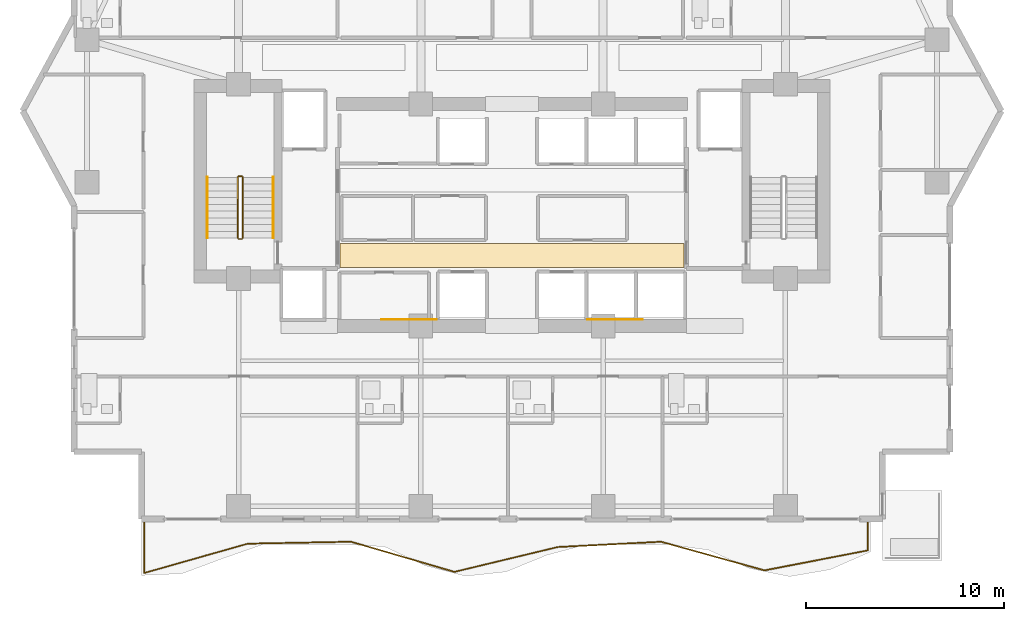
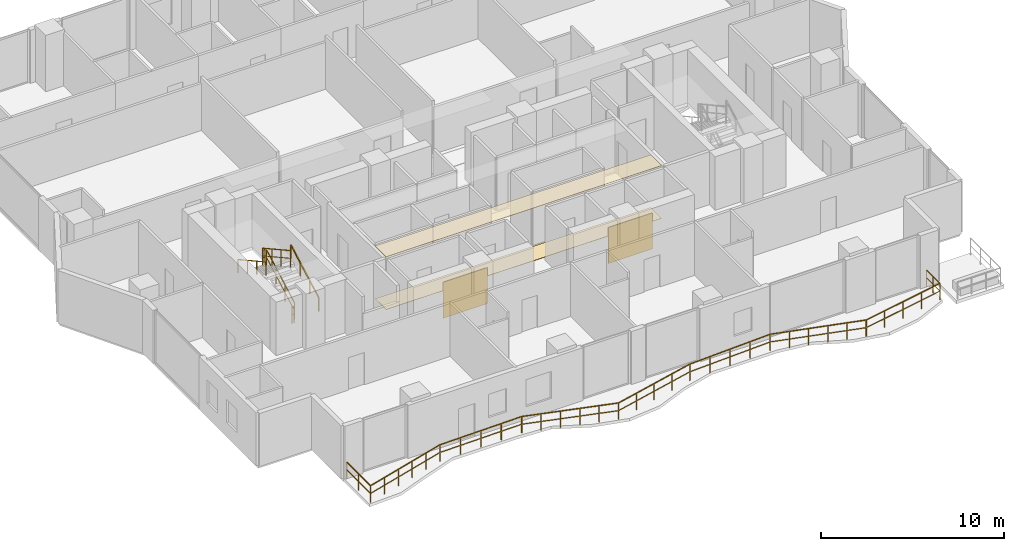
# One storey, part 29 of 32: 7 railings, 4 coverings.
"""IFC4 building model written with IfcOpenShell, lengths in metres."""

from ifc_helpers import new_model, si_unit, direction, frame, origin, origin_2d, place, context, subcontext, project, spatial, polyline, rectangle, outline, extrude, material, layer, layer_set, type_object, element, save


model = new_model("IFC4")

# Units and contexts
model_context = context("Model", 3, precision=1e-05, world=origin(), true_north=direction((0.0, 1.0)))
body_context = subcontext(model_context, "Body", "Model", "MODEL_VIEW")
ifc_project = project(units=[si_unit("LENGTHUNIT", "METRE"), si_unit("AREAUNIT", "SQUARE_METRE"), si_unit("VOLUMEUNIT", "CUBIC_METRE"), si_unit("PLANEANGLEUNIT", "RADIAN"), si_unit("MASSUNIT", "GRAM", prefix="KILO")], contexts=[model_context])

# Site, building, storey
site_placement = place(None, origin())
site = spatial("IfcSite", under=ifc_project, at=site_placement, CompositionType="ELEMENT")
building_placement = place(site_placement, origin())
building = spatial("IfcBuilding", under=site, at=building_placement, Name="Zuhayl Quay Hotel", CompositionType="ELEMENT")
storey_placement = place(building_placement, frame((0.0, 0.0, 203.64990234375)))
storey = spatial("IfcBuildingStorey", under=building, at=storey_placement, Name="L51", CompositionType="ELEMENT", Elevation=203.64990234375)

# Coverings
ifc_material_1 = material(Name="Acoustic Mineral-Fibre Gypsum Board")
ifc_layer_1 = layer(ifc_material_1, 0.02490234375, Name="Acoustic Mineral-Fibre Gypsum Board")
ifc_layer_set_1 = layer_set([ifc_layer_1], Name="Acoustic Mineral-Fibre Gypsum Board")
covering_type_1 = type_object("IfcCoveringType", Name="CV_CEIL_ACOUSTIC", PredefinedType="CEILING", material=ifc_layer_set_1)
covering_1_placement = place(storey_placement, frame((0.0, 0.0, 3.505126953125)))
element("IfcCovering", 1, at=covering_1_placement, inside=storey, type_object=covering_type_1, Name="L51 Suspended Acoustic Lobby Ceiling S", PredefinedType="CEILING", context=body_context, shape_type="SweptSolid", body=[
    extrude(outline(polyline([(-8.679931640625, 5.10009765625), (8.679931640625, 5.10009765625), (8.679931640625, 6.300048828125), (-8.679931640625, 6.300048828125), (-8.679931640625, 5.10009765625)])), origin(), (0.0, 0.0, 1.0), 0.02490234375),
])
ifc_material_2 = material(Name="Polished Limestone Terrazzo", Category="masonry")
ifc_layer_2 = layer(ifc_material_2, 0.02001953125, Name="Polished Limestone Terrazzo", Category="masonry")
ifc_layer_set_2 = layer_set([ifc_layer_2], Name="Polished Limestone Terrazzo")
covering_type_2 = type_object("IfcCoveringType", Name="CV_FLOOR_TERRAZZO", PredefinedType="FLOORING", material=ifc_layer_set_2)
covering_2_placement = place(storey_placement, origin())
element("IfcCovering", 2, at=covering_2_placement, inside=storey, type_object=covering_type_2, Name="L51 Honed Limestone Terrazzo Lobby Flooring S", PredefinedType="FLOORING", context=body_context, shape_type="SweptSolid", body=[
    extrude(outline(polyline([(-8.679931640625, 5.10009765625), (8.679931640625, 5.10009765625), (8.679931640625, 6.300048828125), (-8.679931640625, 6.300048828125), (-8.679931640625, 5.10009765625)])), origin(), (0.0, 0.0, 1.0), 0.02001953125),
])
ifc_material_3 = material(Name="Acoustic Walnut Feature Timber", Category="wood")
ifc_layer_3 = layer(ifc_material_3, 0.02197265625, Name="Acoustic Walnut Feature Timber", Category="wood")
ifc_layer_set_3 = layer_set([ifc_layer_3], Name="Acoustic Walnut Feature Timber")
covering_type_3 = type_object("IfcCoveringType", Name="CV_WALL_CLAD", PredefinedType="CLADDING", material=ifc_layer_set_3)
for number, where, z_axis, x_axis, name in (
    (3, (-5.199951171875, 2.486083984375, 0.300048828125), (0.0, 0.0, 1.0), (1.0, 0.0, 0.0), "L51 Feature Lobby Walnut Wall Cladding W"),
    (4, (5.199951171875, 2.486083984375, 0.300048828125), (0.0, 0.0, 1.0), (1.0, 0.0, 0.0), "L51 Feature Lobby Walnut Wall Cladding E"),
):
    element("IfcCovering", number, at=place(storey_placement, frame(where, z_axis=z_axis, x_axis=x_axis)), inside=storey, type_object=covering_type_3, Name=name, PredefinedType="CLADDING", context=body_context, shape_type="SweptSolid", body=[
        extrude(rectangle(XDim=2.800048828125, YDim=0.02197265625, at=origin_2d()), origin(), (0.0, 0.0, 1.0), 2.39990234375),
    ])

# Railings
ifc_material_4 = material(Name="Anodised Aluminium and Laminated Glass", Category="aluminium")
railing_type_1 = type_object("IfcRailingType", Name="RL_EXT_BAL_1100", PredefinedType="BALUSTRADE", material=ifc_material_4)
railing_1_placement = place(storey_placement, frame((-18.56005859375, -7.719970703125, 0.0)))
element("IfcRailing", 5, at=railing_1_placement, inside=storey, type_object=railing_type_1, Name="L51 Balcony and Terrace Guard GR_L51_BAL_S", PredefinedType="BALUSTRADE", context=body_context, shape_type="SweptSolid", body=[
    extrude(rectangle(XDim=0.048095703125, YDim=0.048095703125, at=origin_2d()), frame((0.0, 0.0, 1.09619140625), z_axis=(0.0, -1.0, 0.0), x_axis=(1.0, 0.0, 0.0)), (0.0, 0.0, 1.0), 2.598388671875),
    extrude(rectangle(XDim=0.0361328125, YDim=0.0361328125, at=origin_2d()), frame((0.0, 0.0, 0.58251953125), z_axis=(0.0, -1.0, 0.0), x_axis=(1.0, 0.0, 0.0)), (0.0, 0.0, 1.0), 2.598388671875),
    extrude(rectangle(XDim=0.048095703125, YDim=0.048095703125, at=origin_2d()), frame((0.0, -2.598388671875, 1.09619140625), z_axis=(0.962050527241, 0.272871367196, 0.0), x_axis=(-0.272871367196, 0.962050527241, 0.0)), (0.0, 0.0, 1.0), 5.4228515625),
    extrude(rectangle(XDim=0.0361328125, YDim=0.0361328125, at=origin_2d()), frame((0.0, -2.598388671875, 0.58251953125), z_axis=(0.962050527241, 0.272871367196, 0.0), x_axis=(-0.272871367196, 0.962050527241, 0.0)), (0.0, 0.0, 1.0), 5.4228515625),
    extrude(rectangle(XDim=0.048095703125, YDim=0.048095703125, at=origin_2d()), frame((5.217041015625, -1.11865234375, 1.09619140625), z_axis=(0.999821348241, 0.018901629606, 0.0), x_axis=(-0.018901629606, 0.999821348241, 0.0)), (0.0, 0.0, 1.0), 5.21826171875),
    extrude(rectangle(XDim=0.0361328125, YDim=0.0361328125, at=origin_2d()), frame((5.217041015625, -1.11865234375, 0.58251953125), z_axis=(0.999821348241, 0.018901629606, 0.0), x_axis=(-0.018901629606, 0.999821348241, 0.0)), (0.0, 0.0, 1.0), 5.21826171875),
    extrude(rectangle(XDim=0.048095703125, YDim=0.048095703125, at=origin_2d()), frame((10.434326171875, -1.02001953125, 1.09619140625), z_axis=(0.959922986604, -0.280263910965, 0.0), x_axis=(0.280263910965, 0.959922986604, 0.0)), (0.0, 0.0, 1.0), 5.434814453125),
    extrude(rectangle(XDim=0.0361328125, YDim=0.0361328125, at=origin_2d()), frame((10.434326171875, -1.02001953125, 0.58251953125), z_axis=(0.959922986604, -0.280263910965, 0.0), x_axis=(0.280263910965, 0.959922986604, 0.0)), (0.0, 0.0, 1.0), 5.434814453125),
    extrude(rectangle(XDim=0.048095703125, YDim=0.048095703125, at=origin_2d()), frame((15.6513671875, -2.543212890625, 1.09619140625), z_axis=(0.972250854481, 0.2339407531, 0.0), x_axis=(-0.2339407531, 0.972250854481, 0.0)), (0.0, 0.0, 1.0), 5.3662109375),
    extrude(rectangle(XDim=0.0361328125, YDim=0.0361328125, at=origin_2d()), frame((15.6513671875, -2.543212890625, 0.58251953125), z_axis=(0.972250854481, 0.2339407531, 0.0), x_axis=(-0.2339407531, 0.972250854481, 0.0)), (0.0, 0.0, 1.0), 5.3662109375),
    extrude(rectangle(XDim=0.048095703125, YDim=0.048095703125, at=origin_2d()), frame((20.86865234375, -1.287841796875, 1.09619140625), z_axis=(0.998684903884, 0.051268535709, 0.0), x_axis=(-0.051268535709, 0.998684903884, 0.0)), (0.0, 0.0, 1.0), 5.223876953125),
    extrude(rectangle(XDim=0.0361328125, YDim=0.0361328125, at=origin_2d()), frame((20.86865234375, -1.287841796875, 0.58251953125), z_axis=(0.998684903884, 0.051268535709, 0.0), x_axis=(-0.051268535709, 0.998684903884, 0.0)), (0.0, 0.0, 1.0), 5.223876953125),
    extrude(rectangle(XDim=0.048095703125, YDim=0.048095703125, at=origin_2d()), frame((26.085693359375, -1.02001953125, 1.09619140625), z_axis=(0.963647004943, -0.267178685273, 0.0), x_axis=(0.267178685273, 0.963647004943, 0.0)), (0.0, 0.0, 1.0), 5.4140625),
    extrude(rectangle(XDim=0.0361328125, YDim=0.0361328125, at=origin_2d()), frame((26.085693359375, -1.02001953125, 0.58251953125), z_axis=(0.963647004943, -0.267178685273, 0.0), x_axis=(0.267178685273, 0.963647004943, 0.0)), (0.0, 0.0, 1.0), 5.4140625),
    extrude(rectangle(XDim=0.048095703125, YDim=0.048095703125, at=origin_2d()), frame((31.302978515625, -2.466552734375, 1.09619140625), z_axis=(0.981847809965, 0.189670445951, 0.0), x_axis=(-0.189670445951, 0.981847809965, 0.0)), (0.0, 0.0, 1.0), 5.3134765625),
    extrude(rectangle(XDim=0.0361328125, YDim=0.0361328125, at=origin_2d()), frame((31.302978515625, -2.466552734375, 0.58251953125), z_axis=(0.981847809965, 0.189670445951, 0.0), x_axis=(-0.189670445951, 0.981847809965, 0.0)), (0.0, 0.0, 1.0), 5.3134765625),
    extrude(rectangle(XDim=0.048095703125, YDim=0.048095703125, at=origin_2d()), frame((36.52001953125, -1.458740234375, 1.09619140625), z_axis=(0.0, 1.0, 0.0), x_axis=(-1.0, 0.0, 0.0)), (0.0, 0.0, 1.0), 1.458740234375),
    extrude(rectangle(XDim=0.0361328125, YDim=0.0361328125, at=origin_2d()), frame((36.52001953125, -1.458740234375, 0.58251953125), z_axis=(0.0, 1.0, 0.0), x_axis=(-1.0, 0.0, 0.0)), (0.0, 0.0, 1.0), 1.458740234375),
    extrude(rectangle(XDim=0.0419921875, YDim=0.0419921875, at=origin_2d()), origin(), (0.0, 0.0, 1.0), 1.072021484375),
    extrude(rectangle(XDim=0.0419921875, YDim=0.0419921875, at=origin_2d()), frame((0.0, -1.29931640625, 0.0)), (0.0, 0.0, 1.0), 1.072021484375),
    extrude(rectangle(XDim=0.0419921875, YDim=0.0419921875, at=origin_2d()), frame((0.0, -2.598388671875, 0.0)), (0.0, 0.0, 1.0), 1.072021484375),
    extrude(rectangle(XDim=0.0419921875, YDim=0.0419921875, at=origin_2d()), frame((1.04345703125, -2.302490234375, 0.0)), (0.0, 0.0, 1.0), 1.072021484375),
    extrude(rectangle(XDim=0.0419921875, YDim=0.0419921875, at=origin_2d()), frame((2.0869140625, -2.006591796875, 0.0)), (0.0, 0.0, 1.0), 1.072021484375),
    extrude(rectangle(XDim=0.0419921875, YDim=0.0419921875, at=origin_2d()), frame((3.130126953125, -1.71044921875, 0.0)), (0.0, 0.0, 1.0), 1.072021484375),
    extrude(rectangle(XDim=0.0419921875, YDim=0.0419921875, at=origin_2d()), frame((4.173583984375, -1.41455078125, 0.0)), (0.0, 0.0, 1.0), 1.072021484375),
    extrude(rectangle(XDim=0.0419921875, YDim=0.0419921875, at=origin_2d()), frame((5.217041015625, -1.11865234375, 0.0)), (0.0, 0.0, 1.0), 1.072021484375),
    extrude(rectangle(XDim=0.0419921875, YDim=0.0419921875, at=origin_2d()), frame((6.521484375, -1.093994140625, 0.0)), (0.0, 0.0, 1.0), 1.072021484375),
    extrude(rectangle(XDim=0.0419921875, YDim=0.0419921875, at=origin_2d()), frame((7.82568359375, -1.0693359375, 0.0)), (0.0, 0.0, 1.0), 1.072021484375),
    extrude(rectangle(XDim=0.0419921875, YDim=0.0419921875, at=origin_2d()), frame((9.1298828125, -1.044677734375, 0.0)), (0.0, 0.0, 1.0), 1.072021484375),
    extrude(rectangle(XDim=0.0419921875, YDim=0.0419921875, at=origin_2d()), frame((10.434326171875, -1.02001953125, 0.0)), (0.0, 0.0, 1.0), 1.072021484375),
    extrude(rectangle(XDim=0.0419921875, YDim=0.0419921875, at=origin_2d()), frame((11.477783203125, -1.32470703125, 0.0)), (0.0, 0.0, 1.0), 1.072021484375),
    extrude(rectangle(XDim=0.0419921875, YDim=0.0419921875, at=origin_2d()), frame((12.521240234375, -1.62939453125, 0.0)), (0.0, 0.0, 1.0), 1.072021484375),
    extrude(rectangle(XDim=0.0419921875, YDim=0.0419921875, at=origin_2d()), frame((13.564453125, -1.933837890625, 0.0)), (0.0, 0.0, 1.0), 1.072021484375),
    extrude(rectangle(XDim=0.0419921875, YDim=0.0419921875, at=origin_2d()), frame((14.60791015625, -2.238525390625, 0.0)), (0.0, 0.0, 1.0), 1.072021484375),
    extrude(rectangle(XDim=0.0419921875, YDim=0.0419921875, at=origin_2d()), frame((15.6513671875, -2.543212890625, 0.0)), (0.0, 0.0, 1.0), 1.072021484375),
    extrude(rectangle(XDim=0.0419921875, YDim=0.0419921875, at=origin_2d()), frame((16.95556640625, -2.2294921875, 0.0)), (0.0, 0.0, 1.0), 1.072021484375),
    extrude(rectangle(XDim=0.0419921875, YDim=0.0419921875, at=origin_2d()), frame((18.260009765625, -1.91552734375, 0.0)), (0.0, 0.0, 1.0), 1.072021484375),
    extrude(rectangle(XDim=0.0419921875, YDim=0.0419921875, at=origin_2d()), frame((19.564453125, -1.6015625, 0.0)), (0.0, 0.0, 1.0), 1.072021484375),
    extrude(rectangle(XDim=0.0419921875, YDim=0.0419921875, at=origin_2d()), frame((20.86865234375, -1.287841796875, 0.0)), (0.0, 0.0, 1.0), 1.072021484375),
    extrude(rectangle(XDim=0.0419921875, YDim=0.0419921875, at=origin_2d()), frame((22.1728515625, -1.220947265625, 0.0)), (0.0, 0.0, 1.0), 1.072021484375),
    extrude(rectangle(XDim=0.0419921875, YDim=0.0419921875, at=origin_2d()), frame((23.47705078125, -1.15380859375, 0.0)), (0.0, 0.0, 1.0), 1.072021484375),
    extrude(rectangle(XDim=0.0419921875, YDim=0.0419921875, at=origin_2d()), frame((24.781494140625, -1.0869140625, 0.0)), (0.0, 0.0, 1.0), 1.072021484375),
    extrude(rectangle(XDim=0.0419921875, YDim=0.0419921875, at=origin_2d()), frame((26.085693359375, -1.02001953125, 0.0)), (0.0, 0.0, 1.0), 1.072021484375),
    extrude(rectangle(XDim=0.0419921875, YDim=0.0419921875, at=origin_2d()), frame((27.129150390625, -1.309326171875, 0.0)), (0.0, 0.0, 1.0), 1.072021484375),
    extrude(rectangle(XDim=0.0419921875, YDim=0.0419921875, at=origin_2d()), frame((28.172607421875, -1.5986328125, 0.0)), (0.0, 0.0, 1.0), 1.072021484375),
    extrude(rectangle(XDim=0.0419921875, YDim=0.0419921875, at=origin_2d()), frame((29.216064453125, -1.887939453125, 0.0)), (0.0, 0.0, 1.0), 1.072021484375),
    extrude(rectangle(XDim=0.0419921875, YDim=0.0419921875, at=origin_2d()), frame((30.259521484375, -2.17724609375, 0.0)), (0.0, 0.0, 1.0), 1.072021484375),
    extrude(rectangle(XDim=0.0419921875, YDim=0.0419921875, at=origin_2d()), frame((31.302978515625, -2.466552734375, 0.0)), (0.0, 0.0, 1.0), 1.072021484375),
    extrude(rectangle(XDim=0.0419921875, YDim=0.0419921875, at=origin_2d()), frame((32.607177734375, -2.214599609375, 0.0)), (0.0, 0.0, 1.0), 1.072021484375),
    extrude(rectangle(XDim=0.0419921875, YDim=0.0419921875, at=origin_2d()), frame((33.91162109375, -1.962646484375, 0.0)), (0.0, 0.0, 1.0), 1.072021484375),
    extrude(rectangle(XDim=0.0419921875, YDim=0.0419921875, at=origin_2d()), frame((35.2158203125, -1.710693359375, 0.0)), (0.0, 0.0, 1.0), 1.072021484375),
    extrude(rectangle(XDim=0.0419921875, YDim=0.0419921875, at=origin_2d()), frame((36.52001953125, -1.458740234375, 0.0)), (0.0, 0.0, 1.0), 1.072021484375),
    extrude(rectangle(XDim=0.0419921875, YDim=0.0419921875, at=origin_2d()), frame((36.52001953125, -0.7294921875, 0.0)), (0.0, 0.0, 1.0), 1.072021484375),
    extrude(rectangle(XDim=0.0419921875, YDim=0.0419921875, at=origin_2d()), frame((36.52001953125, 0.0, 0.0)), (0.0, 0.0, 1.0), 1.072021484375),
])
ifc_material_5 = material(Name="Steel ASTM A992 Grade 50", Category="steel")
railing_type_2 = type_object("IfcRailingType", Name="RL_GUARD_1100", PredefinedType="GUARDRAIL", material=ifc_material_5)
railing_2_placement = place(storey_placement, frame((-13.590087890625, 6.590087890625, 0.1875)))
element("IfcRailing", 6, at=railing_2_placement, inside=storey, type_object=railing_type_2, Name="L51 ST1 stair guard 1", PredefinedType="GUARDRAIL", context=body_context, shape_type="SweptSolid", body=[
    extrude(rectangle(XDim=0.048095703125, YDim=0.048095703125, at=origin_2d()), frame((0.0, 0.0, 1.09619140625), z_axis=(0.0, 0.875659195171, 0.482929574485), x_axis=(-1.0, 0.0, 0.0)), (0.0, 0.0, 1.0), 3.494384765625),
    extrude(rectangle(XDim=0.0361328125, YDim=0.0361328125, at=origin_2d()), frame((0.0, 0.0, 0.58251953125), z_axis=(0.0, 0.875659195171, 0.482929574485), x_axis=(-1.0, 0.0, 0.0)), (0.0, 0.0, 1.0), 3.494384765625),
    extrude(rectangle(XDim=0.0419921875, YDim=0.0419921875, at=origin_2d()), origin(), (0.0, 0.0, 1.0), 1.072021484375),
    extrude(rectangle(XDim=0.0419921875, YDim=0.0419921875, at=origin_2d()), frame((0.0, 1.02001953125, 0.5625)), (0.0, 0.0, 1.0), 1.072021484375),
    extrude(rectangle(XDim=0.0419921875, YDim=0.0419921875, at=origin_2d()), frame((0.0, 2.039794921875, 1.125)), (0.0, 0.0, 1.0), 1.072021484375),
    extrude(rectangle(XDim=0.0419921875, YDim=0.0419921875, at=origin_2d()), frame((0.0, 3.059814453125, 1.6875)), (0.0, 0.0, 1.0), 1.072021484375),
])
railing_3_placement = place(storey_placement, frame((-13.639892578125, 9.699951171875, 1.875)))
element("IfcRailing", 7, at=railing_3_placement, inside=storey, type_object=railing_type_2, Name="L51 ST1 stair guard 2", PredefinedType="GUARDRAIL", context=body_context, shape_type="SweptSolid", body=[
    extrude(rectangle(XDim=0.048095703125, YDim=0.048095703125, at=origin_2d()), frame((0.0, 0.0, 1.09619140625), z_axis=(-1.0, 0.0, 0.0), x_axis=(0.0, -1.0, 0.0)), (0.0, 0.0, 1.0), 0.150146484375),
    extrude(rectangle(XDim=0.0361328125, YDim=0.0361328125, at=origin_2d()), frame((0.0, 0.0, 0.58251953125), z_axis=(-1.0, 0.0, 0.0), x_axis=(0.0, -1.0, 0.0)), (0.0, 0.0, 1.0), 0.150146484375),
    extrude(rectangle(XDim=0.0419921875, YDim=0.0419921875, at=origin_2d()), origin(), (0.0, 0.0, 1.0), 1.072021484375),
    extrude(rectangle(XDim=0.0419921875, YDim=0.0419921875, at=origin_2d()), frame((-0.150146484375, 0.0, 0.0)), (0.0, 0.0, 1.0), 1.072021484375),
])
railing_4_placement = place(storey_placement, frame((-13.840087890625, 9.64990234375, 2.0625)))
element("IfcRailing", 8, at=railing_4_placement, inside=storey, type_object=railing_type_2, Name="L51 ST1 stair guard 3", PredefinedType="GUARDRAIL", context=body_context, shape_type="SweptSolid", body=[
    extrude(rectangle(XDim=0.048095703125, YDim=0.048095703125, at=origin_2d()), frame((0.0, 0.0, 1.09619140625), z_axis=(0.0, -0.875659195171, 0.482929574485), x_axis=(1.0, 0.0, 0.0)), (0.0, 0.0, 1.0), 3.494384765625),
    extrude(rectangle(XDim=0.0361328125, YDim=0.0361328125, at=origin_2d()), frame((0.0, 0.0, 0.58251953125), z_axis=(0.0, -0.875659195171, 0.482929574485), x_axis=(1.0, 0.0, 0.0)), (0.0, 0.0, 1.0), 3.494384765625),
    extrude(rectangle(XDim=0.0419921875, YDim=0.0419921875, at=origin_2d()), origin(), (0.0, 0.0, 1.0), 1.072021484375),
    extrude(rectangle(XDim=0.0419921875, YDim=0.0419921875, at=origin_2d()), frame((0.0, -1.02001953125, 0.5625)), (0.0, 0.0, 1.0), 1.072021484375),
    extrude(rectangle(XDim=0.0419921875, YDim=0.0419921875, at=origin_2d()), frame((0.0, -2.039794921875, 1.125)), (0.0, 0.0, 1.0), 1.072021484375),
    extrude(rectangle(XDim=0.0419921875, YDim=0.0419921875, at=origin_2d()), frame((0.0, -3.059814453125, 1.6875)), (0.0, 0.0, 1.0), 1.072021484375),
])
railing_5_placement = place(storey_placement, frame((-13.639892578125, 6.5400390625, 0.0)))
element("IfcRailing", 9, at=railing_5_placement, inside=storey, type_object=railing_type_2, Name="L51 ST1 stair guard 4", PredefinedType="GUARDRAIL", context=body_context, shape_type="SweptSolid", body=[
    extrude(rectangle(XDim=0.048095703125, YDim=0.048095703125, at=origin_2d()), frame((0.0, 0.0, 1.09619140625), z_axis=(-1.0, 0.0, 0.0), x_axis=(0.0, -1.0, 0.0)), (0.0, 0.0, 1.0), 0.150146484375),
    extrude(rectangle(XDim=0.0361328125, YDim=0.0361328125, at=origin_2d()), frame((0.0, 0.0, 0.58251953125), z_axis=(-1.0, 0.0, 0.0), x_axis=(0.0, -1.0, 0.0)), (0.0, 0.0, 1.0), 0.150146484375),
    extrude(rectangle(XDim=0.0419921875, YDim=0.0419921875, at=origin_2d()), origin(), (0.0, 0.0, 1.0), 1.072021484375),
    extrude(rectangle(XDim=0.0419921875, YDim=0.0419921875, at=origin_2d()), frame((-0.150146484375, 0.0, 0.0)), (0.0, 0.0, 1.0), 1.072021484375),
])
railing_type_3 = type_object("IfcRailingType", Name="RL_HANDRAIL_920", PredefinedType="HANDRAIL", material=ifc_material_5)
railing_6_placement = place(storey_placement, frame((-12.050048828125, 6.590087890625, 0.1875)))
element("IfcRailing", 10, at=railing_6_placement, inside=storey, type_object=railing_type_3, Name="L51 ST1 stair handrail 1", PredefinedType="HANDRAIL", context=body_context, shape_type="SweptSolid", body=[
    extrude(rectangle(XDim=0.048095703125, YDim=0.048095703125, at=origin_2d()), frame((0.0, 0.0, 0.8759765625), z_axis=(0.0, 0.875659195171, 0.482929574485), x_axis=(-1.0, 0.0, 0.0)), (0.0, 0.0, 1.0), 3.494384765625),
    extrude(rectangle(XDim=0.0419921875, YDim=0.0419921875, at=origin_2d()), origin(), (0.0, 0.0, 1.0), 0.851806640625),
    extrude(rectangle(XDim=0.0419921875, YDim=0.0419921875, at=origin_2d()), frame((0.0, 1.02001953125, 0.5625)), (0.0, 0.0, 1.0), 0.851806640625),
    extrude(rectangle(XDim=0.0419921875, YDim=0.0419921875, at=origin_2d()), frame((0.0, 2.039794921875, 1.125)), (0.0, 0.0, 1.0), 0.851806640625),
    extrude(rectangle(XDim=0.0419921875, YDim=0.0419921875, at=origin_2d()), frame((0.0, 3.059814453125, 1.6875)), (0.0, 0.0, 1.0), 0.851806640625),
])
railing_7_placement = place(storey_placement, frame((-15.3798828125, 9.64990234375, 2.0625)))
element("IfcRailing", 11, at=railing_7_placement, inside=storey, type_object=railing_type_3, Name="L51 ST1 stair handrail 2", PredefinedType="HANDRAIL", context=body_context, shape_type="SweptSolid", body=[
    extrude(rectangle(XDim=0.048095703125, YDim=0.048095703125, at=origin_2d()), frame((0.0, 0.0, 0.8759765625), z_axis=(0.0, -0.875659195171, 0.482929574485), x_axis=(1.0, 0.0, 0.0)), (0.0, 0.0, 1.0), 3.494384765625),
    extrude(rectangle(XDim=0.0419921875, YDim=0.0419921875, at=origin_2d()), origin(), (0.0, 0.0, 1.0), 0.851806640625),
    extrude(rectangle(XDim=0.0419921875, YDim=0.0419921875, at=origin_2d()), frame((0.0, -1.02001953125, 0.5625)), (0.0, 0.0, 1.0), 0.851806640625),
    extrude(rectangle(XDim=0.0419921875, YDim=0.0419921875, at=origin_2d()), frame((0.0, -2.039794921875, 1.125)), (0.0, 0.0, 1.0), 0.851806640625),
    extrude(rectangle(XDim=0.0419921875, YDim=0.0419921875, at=origin_2d()), frame((0.0, -3.059814453125, 1.6875)), (0.0, 0.0, 1.0), 0.851806640625),
])

save(model, "model.ifc")
